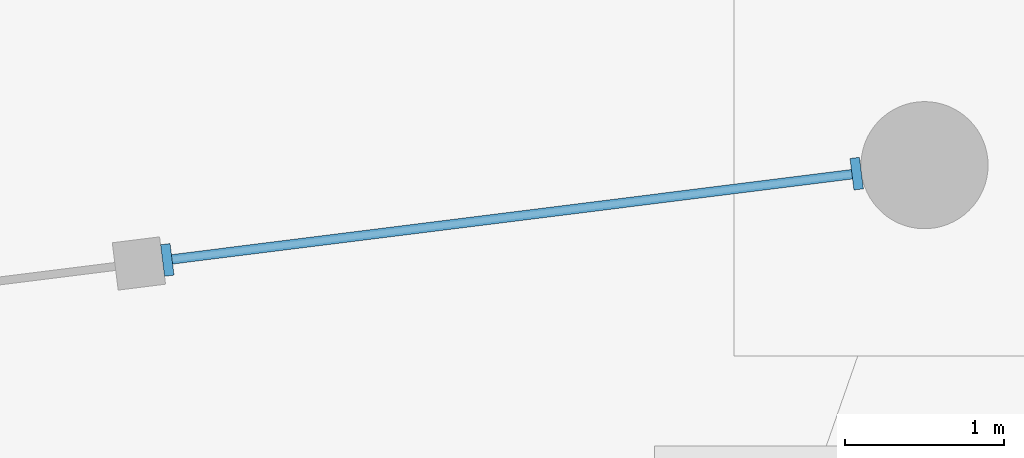
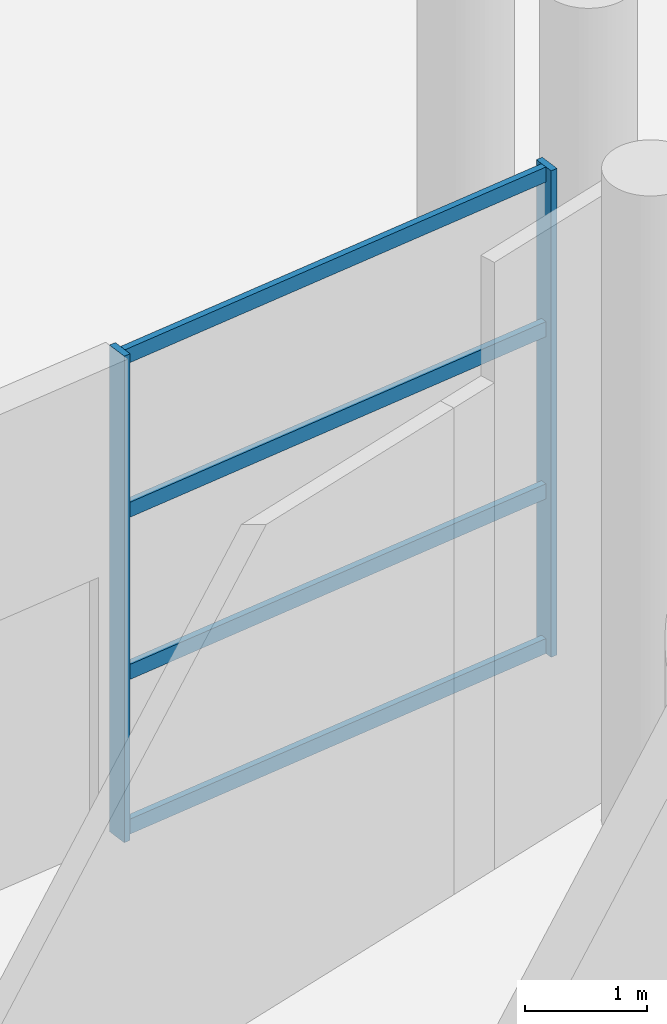
# One storey, part 68 of 255: 6 members, 1 element without a shape of its own.
"""IFC4 building model written with IfcOpenShell, lengths in metres."""

from ifc_helpers import new_model, si_unit, direction, frame, origin, origin_2d, place, context, subcontext, project, spatial, rectangle, extrude, material, layer, layer_set, material_profile, profile_set, type_object, element, aggregate, save


model = new_model("IFC4")

# Units and contexts
model_context = context("Model", 3, precision=1e-05, world=origin(), true_north=direction((0.0, 1.0)))
body_context = subcontext(model_context, "Body", "Model", "MODEL_VIEW")
ifc_project = project(units=[si_unit("LENGTHUNIT", "METRE"), si_unit("AREAUNIT", "SQUARE_METRE"), si_unit("VOLUMEUNIT", "CUBIC_METRE"), si_unit("PLANEANGLEUNIT", "RADIAN"), si_unit("MASSUNIT", "GRAM", prefix="KILO")], contexts=[model_context])

# Site, building, storey
site_placement = place(None, origin())
site = spatial("IfcSite", under=ifc_project, at=site_placement, CompositionType="ELEMENT")
building_placement = place(site_placement, origin())
building = spatial("IfcBuilding", under=site, at=building_placement, Name="Meseta Stadium", CompositionType="ELEMENT")
storey_placement = place(building_placement, origin())
storey = spatial("IfcBuildingStorey", under=building, at=storey_placement, Name="L00", CompositionType="ELEMENT", Elevation=0.0)

# Curtain wall, members
ifc_material_1 = material(Name="Aluminium", Category="aluminium")
ifc_layer = layer(ifc_material_1, 0.199951171875)
ifc_layer_set = layer_set([ifc_layer], Name="Ring shopfront curtain wall")
curtain_wall_type = type_object("IfcCurtainWallType", Name="Ring shopfront curtain wall", PredefinedType="NOTDEFINED", material=ifc_layer_set)
curtain_wall_placement = place(storey_placement, origin())
curtain_wall = element("IfcCurtainWall", 1, at=curtain_wall_placement, inside=storey, type_object=curtain_wall_type, Name="Shopfront glazing F14a", PredefinedType="NOTDEFINED")
ifc_material_2 = material(Name="Aluminium", Category="aluminium")
ifc_material_profile_1 = material_profile(ifc_material_2, rectangle(XDim=0.199951171875, YDim=0.06005859375, at=origin_2d()), Name="CW 200x60")
ifc_profile_set_1 = profile_set([ifc_material_profile_1], Name="Aluminium")
member_type_1 = type_object("IfcMemberType", Name="Ring CW mullion 60x200", PredefinedType="MULLION", material=ifc_profile_set_1)
member_1_placement = place(storey_placement, frame((65.864990234375, 107.9365234375, 0.0), z_axis=(0.0, 0.0, 1.0), x_axis=(0.124154156083, -0.992262941728, 0.0)))
member_1 = element("IfcMember", 2, at=member_1_placement, type_object=member_type_1, Name="CWR1 mullion 1", PredefinedType="MULLION", context=body_context, shape_type="SweptSolid", body=[
    extrude(rectangle(XDim=0.199951171875, YDim=0.06005859375, at=origin_2d()), origin(), (0.0, 0.0, 1.0), 4.85009765625),
])
member_2_placement = place(storey_placement, frame((61.527099609375, 107.393798828125, 0.0), z_axis=(0.0, 0.0, 1.0), x_axis=(0.124154156083, -0.992262941728, 0.0)))
member_2 = element("IfcMember", 3, at=member_2_placement, type_object=member_type_1, Name="CWR1 mullion 2", PredefinedType="MULLION", context=body_context, shape_type="SweptSolid", body=[
    extrude(rectangle(XDim=0.199951171875, YDim=0.06005859375, at=origin_2d()), origin(), (0.0, 0.0, 1.0), 4.85009765625),
])
ifc_material_3 = material(Name="Aluminium", Category="aluminium")
ifc_material_profile_2 = material_profile(ifc_material_3, rectangle(XDim=0.06005859375, YDim=0.14990234375, at=origin_2d()), Name="CW 60x150")
ifc_profile_set_2 = profile_set([ifc_material_profile_2], Name="Aluminium")
member_type_2 = type_object("IfcMemberType", Name="Ring CW transom 60x150", PredefinedType="USERDEFINED", material=ifc_profile_set_2)
member_3_placement = place(storey_placement, frame((65.835205078125, 107.932861328125, 0.074951171875), z_axis=(-0.992260444481, -0.124174112916, 0.0), x_axis=(0.124174112916, -0.992260444481, 0.0)))
member_3 = element("IfcMember", 4, at=member_3_placement, type_object=member_type_2, Name="CWR1 transom 1.1", ObjectType="TRANSOM", PredefinedType="USERDEFINED", context=body_context, shape_type="SweptSolid", body=[
    extrude(rectangle(XDim=0.06005859375, YDim=0.14990234375, at=origin_2d()), origin(), (0.0, 0.0, 1.0), 4.311767578125),
])
member_4_placement = place(storey_placement, frame((65.835205078125, 107.932861328125, 1.61669921875), z_axis=(-0.992260444481, -0.124174112916, 0.0), x_axis=(0.124174112916, -0.992260444481, 0.0)))
member_4 = element("IfcMember", 5, at=member_4_placement, type_object=member_type_2, Name="CWR1 transom 1.2", ObjectType="TRANSOM", PredefinedType="USERDEFINED", context=body_context, shape_type="SweptSolid", body=[
    extrude(rectangle(XDim=0.06005859375, YDim=0.14990234375, at=origin_2d()), origin(), (0.0, 0.0, 1.0), 4.311767578125),
])
member_5_placement = place(storey_placement, frame((65.835205078125, 107.932861328125, 3.2333984375), z_axis=(-0.992260444481, -0.124174112916, 0.0), x_axis=(0.124174112916, -0.992260444481, 0.0)))
member_5 = element("IfcMember", 6, at=member_5_placement, type_object=member_type_2, Name="CWR1 transom 1.3", ObjectType="TRANSOM", PredefinedType="USERDEFINED", context=body_context, shape_type="SweptSolid", body=[
    extrude(rectangle(XDim=0.06005859375, YDim=0.14990234375, at=origin_2d()), origin(), (0.0, 0.0, 1.0), 4.311767578125),
])
member_6_placement = place(storey_placement, frame((65.835205078125, 107.932861328125, 4.77490234375), z_axis=(-0.992260444481, -0.124174112916, 0.0), x_axis=(0.124174112916, -0.992260444481, 0.0)))
member_6 = element("IfcMember", 7, at=member_6_placement, type_object=member_type_2, Name="CWR1 transom 1.4", ObjectType="TRANSOM", PredefinedType="USERDEFINED", context=body_context, shape_type="SweptSolid", body=[
    extrude(rectangle(XDim=0.06005859375, YDim=0.14990234375, at=origin_2d()), origin(), (0.0, 0.0, 1.0), 4.311767578125),
])
aggregate(curtain_wall, [member_1, member_2, member_3, member_4, member_5, member_6])

save(model, "model.ifc")
